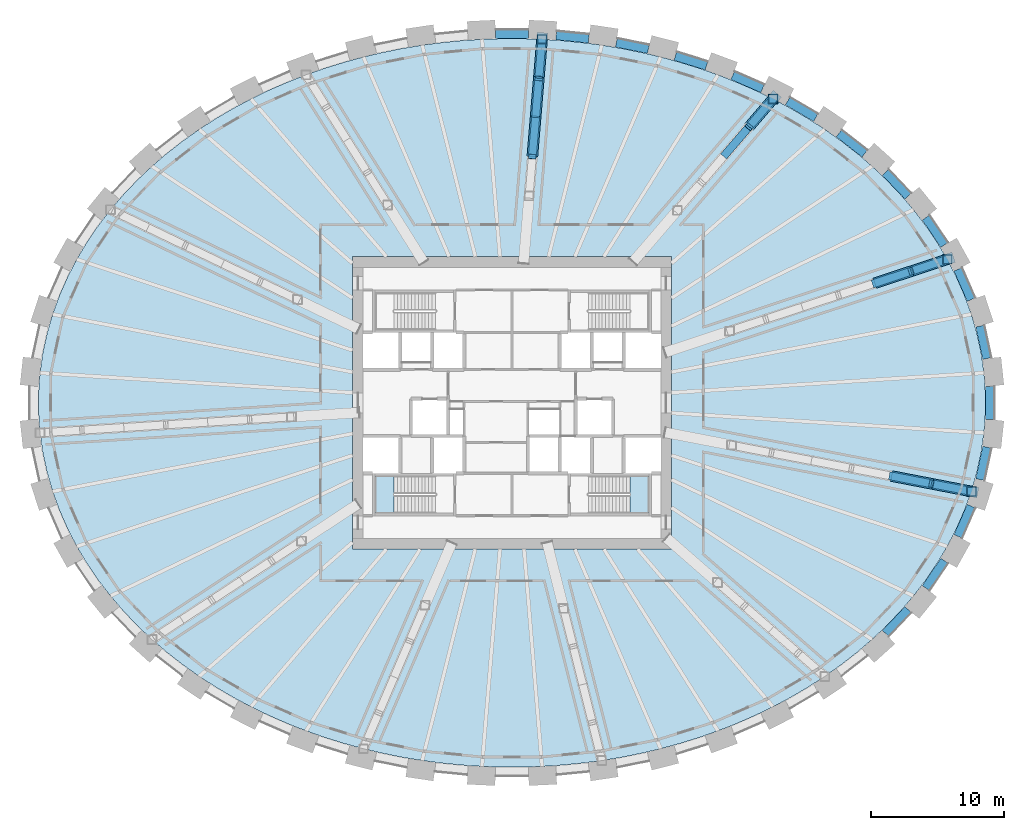
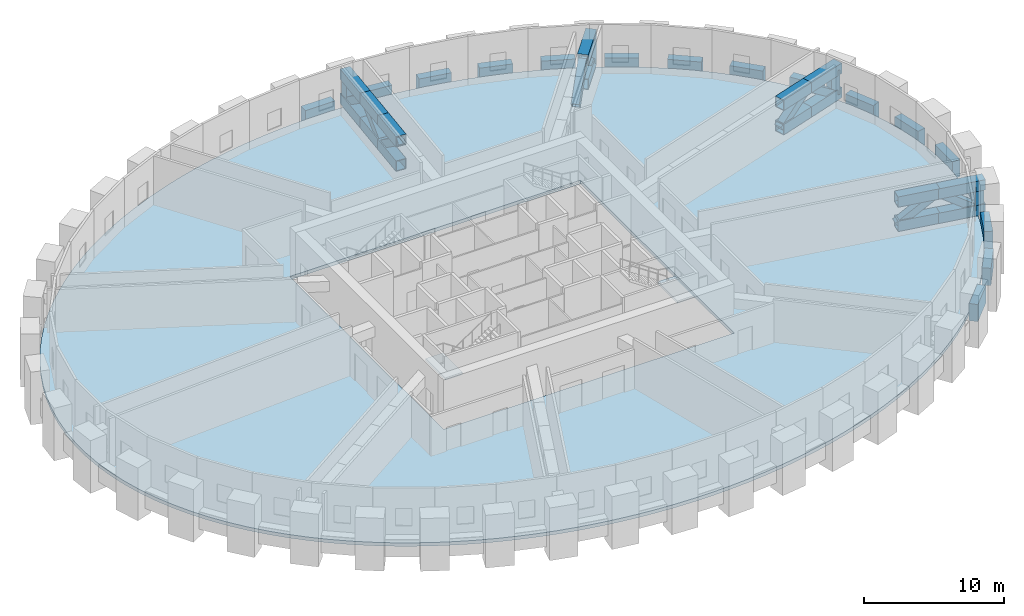
# One storey, part 5 of 13: 29 members, 16 beams, 3 slabs, 2 elements without a shape of their own.
"""IFC4 building model written with IfcOpenShell, lengths in metres."""

import ifcopenshell
import ifcopenshell.guid

model = None  # the IFC model being written
_history = None  # IfcOwnerHistory: only IFC2X3 demands one
_inside = {}  # id of a spatial element -> (the spatial element, [elements in it])
_under = {}  # id of a project, library or spatial element -> (it, [spatial elements below it])
_declared = {}  # id of a project -> (the project, [libraries it declares])
_typed = {}  # id of a type object -> (the type object, [elements of that type])
_made_of = {}  # id of a material, layer set ... -> (it, [elements and type objects made of it])


def new_model(schema):
    """Start an empty IFC model of exactly this schema.

    Asked for "IFC4X3", IfcOpenShell would pick the latest addendum, in which some entities
    have other attributes; the version numbers below select the first issue.
    IFC2X3 requires an IfcOwnerHistory on every rooted entity: one is made here for all.
    """
    global model, _history
    if schema == "IFC4X3":
        model = ifcopenshell.file(schema_version=(4, 3, 0, 0))
    else:
        model = ifcopenshell.file(schema=schema)
    _inside.clear()
    _under.clear()
    _declared.clear()
    _typed.clear()
    _made_of.clear()
    _history = None
    if model.schema == "IFC2X3":
        org = make("IfcOrganization", Name="unknown")
        user = make(
            "IfcPersonAndOrganization",
            ThePerson=make("IfcPerson", FamilyName="unknown"),
            TheOrganization=org,
        )
        app = make(
            "IfcApplication",
            ApplicationDeveloper=org,
            Version="unknown",
            ApplicationFullName="unknown",
            ApplicationIdentifier="unknown",
        )
        _history = make(
            "IfcOwnerHistory",
            OwningUser=user,
            OwningApplication=app,
            ChangeAction="ADDED",
            CreationDate=0,
        )
    return model


def make(cls, **values):
    """One entity of the class cls with the attributes given. An attribute that is None is left unset."""
    return model.create_entity(
        cls, **{name: value for name, value in values.items() if value is not None}
    )


def rooted(cls, **values):
    """An entity with a GlobalId (a new one), such as an element, a storey or a relation."""
    return make(cls, GlobalId=ifcopenshell.guid.new(), OwnerHistory=_history, **values)


def si_unit(unit_type, name, prefix=None):
    """IfcSIUnit, for example si_unit("LENGTHUNIT", "METRE", prefix="MILLI")."""
    return make("IfcSIUnit", UnitType=unit_type, Prefix=prefix, Name=name)


def assignment(units):
    """IfcUnitAssignment: the units of a project."""
    return None if units is None else make("IfcUnitAssignment", Units=units)


def point(xyz):
    """IfcCartesianPoint."""
    return None if xyz is None else make("IfcCartesianPoint", Coordinates=xyz)


def direction(xyz):
    """IfcDirection."""
    return None if xyz is None else make("IfcDirection", DirectionRatios=xyz)


def frame(location, z_axis=None, x_axis=None):
    """IfcAxis2Placement3D, a coordinate frame: its origin and axes. An axis left out is left unset."""
    return make(
        "IfcAxis2Placement3D",
        Location=point(location),
        Axis=direction(z_axis),
        RefDirection=direction(x_axis),
    )


def frame_2d(location, x_axis=None):
    """IfcAxis2Placement2D, a coordinate frame in the plane: its origin and x axis."""
    return make(
        "IfcAxis2Placement2D", Location=point(location), RefDirection=direction(x_axis)
    )


def origin():
    """The frame at (0, 0, 0) with its axes left unset."""
    return frame((0.0, 0.0, 0.0))


def origin_2d():
    """The frame at (0, 0) in the plane with its x axis left unset."""
    return frame_2d((0.0, 0.0))


def place(relative_to, where):
    """IfcLocalPlacement: puts the frame where relative to a parent placement (None: the world)."""
    return make(
        "IfcLocalPlacement", PlacementRelTo=relative_to, RelativePlacement=where
    )


def context(
    kind, dimensions, precision=None, world=None, true_north=None, identifier=None
):
    """IfcGeometricRepresentationContext, for example the 3D "Model" context."""
    return make(
        "IfcGeometricRepresentationContext",
        ContextIdentifier=identifier,
        ContextType=kind,
        CoordinateSpaceDimension=dimensions,
        Precision=precision,
        WorldCoordinateSystem=world,
        TrueNorth=true_north,
    )


def subcontext(parent, identifier, kind, view, scale=None):
    """IfcGeometricRepresentationSubContext, for example "Body" below "Model"."""
    return make(
        "IfcGeometricRepresentationSubContext",
        ContextIdentifier=identifier,
        ContextType=kind,
        ParentContext=parent,
        TargetScale=scale,
        TargetView=view,
    )


def project(units=None, contexts=None):
    """IfcProject with its units and contexts."""
    return rooted(
        "IfcProject",
        Name="project",
        RepresentationContexts=contexts,
        UnitsInContext=assignment(units),
    )


def spatial(cls, under=None, at=None, **own):
    """A site, building, storey or space (cls), placed at a placement, below another one or the project."""
    s = rooted(cls, ObjectPlacement=at, **own)
    if under is not None:
        _under.setdefault(under.id(), (under, []))[1].append(s)
    return s


def polyline(points):
    """IfcPolyline through the points."""
    return make("IfcPolyline", Points=[point(p) for p in points])


def profile(cls, at=None, kind="AREA", **sizes):
    """A parametric profile (cls). Its sizes go by their IFC names, for example OverallWidth=200.0."""
    return make(cls, ProfileType=kind, Position=at, **sizes)


def rectangle(**sizes):
    """IfcRectangleProfileDef."""
    return profile("IfcRectangleProfileDef", **sizes)


def hollow_rectangle(**sizes):
    """IfcRectangleHollowProfileDef."""
    return profile("IfcRectangleHollowProfileDef", **sizes)


def outline(outer, holes=None, kind="AREA"):
    """IfcArbitraryClosedProfileDef: a profile drawn as a closed curve; with holes, ...WithVoids."""
    if holes is None:
        return make("IfcArbitraryClosedProfileDef", ProfileType=kind, OuterCurve=outer)
    return make(
        "IfcArbitraryProfileDefWithVoids",
        ProfileType=kind,
        OuterCurve=outer,
        InnerCurves=holes,
    )


def extrude(swept, where, along, depth):
    """IfcExtrudedAreaSolid: the profile swept, set in the frame where, extruded along a direction by depth."""
    return make(
        "IfcExtrudedAreaSolid",
        SweptArea=swept,
        Position=where,
        ExtrudedDirection=direction(along),
        Depth=depth,
    )


def shape(context_of_items, identifier, shape_type, items):
    """IfcShapeRepresentation: the items that make up one representation, for example the "Body"."""
    return make(
        "IfcShapeRepresentation",
        ContextOfItems=context_of_items,
        RepresentationIdentifier=identifier,
        RepresentationType=shape_type,
        Items=items,
    )


def source(mapping_origin, context_of_items, identifier, shape_type, items):
    """IfcRepresentationMap: a shape defined once, which mapped items show again and again."""
    return make(
        "IfcRepresentationMap",
        MappingOrigin=mapping_origin,
        MappedRepresentation=shape(context_of_items, identifier, shape_type, items),
    )


def transform(
    local_origin,
    x_axis=None,
    y_axis=None,
    z_axis=None,
    scale=None,
    scale2=None,
    scale3=None,
    uniform=True,
):
    """IfcCartesianTransformationOperator3D, or its non-uniform kind. x_axis, y_axis, z_axis: its Axis1, 2, 3."""
    if uniform:
        return make(
            "IfcCartesianTransformationOperator3D",
            Axis1=direction(x_axis),
            Axis2=direction(y_axis),
            LocalOrigin=point(local_origin),
            Scale=scale,
            Axis3=direction(z_axis),
        )
    return make(
        "IfcCartesianTransformationOperator3DnonUniform",
        Axis1=direction(x_axis),
        Axis2=direction(y_axis),
        LocalOrigin=point(local_origin),
        Scale=scale,
        Axis3=direction(z_axis),
        Scale2=scale2,
        Scale3=scale3,
    )


def mapped(mapping_source, mapping_target):
    """IfcMappedItem: shows the shape of a source again, moved by a transform."""
    return make(
        "IfcMappedItem", MappingSource=mapping_source, MappingTarget=mapping_target
    )


def material(Name=None, Category=None):
    """IfcMaterial."""
    return make("IfcMaterial", Name=Name, Category=Category)


def layer(
    of_material, thickness, ventilated=None, Name=None, Category=None, Priority=None
):
    """IfcMaterialLayer: one layer of a wall or slab, of a material (None: an air gap)."""
    return make(
        "IfcMaterialLayer",
        Material=of_material,
        LayerThickness=thickness,
        IsVentilated=ventilated,
        Name=Name,
        Category=Category,
        Priority=Priority,
    )


def layer_set(layers, Name=None):
    """IfcMaterialLayerSet."""
    return make("IfcMaterialLayerSet", MaterialLayers=layers, LayerSetName=Name)


def material_profile(
    of_material, cross_section, Name=None, Category=None, Priority=None
):
    """IfcMaterialProfile: a cross section and its material."""
    return make(
        "IfcMaterialProfile",
        Name=Name,
        Material=of_material,
        Profile=cross_section,
        Priority=Priority,
        Category=Category,
    )


def profile_set(profiles, Name=None, composite=None):
    """IfcMaterialProfileSet."""
    return make(
        "IfcMaterialProfileSet",
        Name=Name,
        MaterialProfiles=profiles,
        CompositeProfile=composite,
    )


def made_of(thing, what):
    """Note that an element or type object is made of a material, layer set ...; save() writes the relation."""
    if what is not None:
        _made_of.setdefault(what.id(), (what, []))[1].append(thing)
    return thing


def type_object(cls, material=None, **own):
    """A type object (cls), such as IfcWallType, which elements share."""
    return made_of(rooted(cls, **own), material)


def element(
    cls,
    number,
    at=None,
    inside=None,
    cuts=None,
    type_object=None,
    material=None,
    context=None,
    identifier="Body",
    shape_type=None,
    held_by="IfcProductDefinitionShape",
    body=None,
    shapes=None,
    **own,
):
    """One element of the class cls, such as IfcWall. Its Tag is "e" and its number.

    at: its placement. inside: the storey or other place that contains it. cuts: it is an
    opening in that element (IfcRelVoidsElement). A single representation is given by context,
    identifier, shape_type and body (its items); several are given by shapes. held_by: the class
    of the entity that holds the representations. save() writes the other relations.
    """
    e = rooted(cls, Tag="e%d" % number, ObjectPlacement=at, **own)
    if body is not None:
        shapes = [shape(context, identifier, shape_type, body)]
    if shapes is not None:
        e.Representation = make(held_by, Representations=shapes)
    if inside is not None:
        _inside.setdefault(inside.id(), (inside, []))[1].append(e)
    if cuts is not None:
        rooted(
            "IfcRelVoidsElement", RelatingBuildingElement=cuts, RelatedOpeningElement=e
        )
    if type_object is not None:
        _typed.setdefault(type_object.id(), (type_object, []))[1].append(e)
    return made_of(e, material)


def aggregate(whole, parts):
    """IfcRelAggregates: a whole, such as a stair, and the parts it consists of."""
    return rooted("IfcRelAggregates", RelatingObject=whole, RelatedObjects=parts)


def save(model, path):
    """Write the relations noted so far, then the file.

    IfcRelAggregates (storeys below a building ...), IfcRelContainedInSpatialStructure (elements
    in a storey), IfcRelDefinesByType, IfcRelAssociatesMaterial and IfcRelDeclares: one each for
    every whole, place, type object, material and project.
    """
    for whole, parts in _under.values():
        aggregate(whole, parts)
    for where, things in _inside.values():
        rooted(
            "IfcRelContainedInSpatialStructure",
            RelatedElements=things,
            RelatingStructure=where,
        )
    for kind, things in _typed.values():
        rooted("IfcRelDefinesByType", RelatedObjects=things, RelatingType=kind)
    for what, things in _made_of.values():
        rooted("IfcRelAssociatesMaterial", RelatedObjects=things, RelatingMaterial=what)
    for by, libraries in _declared.values():
        rooted("IfcRelDeclares", RelatingContext=by, RelatedDefinitions=libraries)
    model.write(path)


model = new_model("IFC4")

# Units and contexts
model_context = context("Model", 3, precision=1e-05, world=origin(), true_north=direction((0.0, 1.0)))
body_context = subcontext(model_context, "Body", "Model", "MODEL_VIEW")
ifc_project = project(units=[si_unit("LENGTHUNIT", "METRE"), si_unit("AREAUNIT", "SQUARE_METRE"), si_unit("VOLUMEUNIT", "CUBIC_METRE"), si_unit("PLANEANGLEUNIT", "RADIAN"), si_unit("MASSUNIT", "GRAM", prefix="KILO")], contexts=[model_context])

# Site, building, storey
site_placement = place(None, origin())
site = spatial("IfcSite", under=ifc_project, at=site_placement, CompositionType="ELEMENT")
building_placement = place(site_placement, origin())
building = spatial("IfcBuilding", under=site, at=building_placement, Name="Embergate Tower", CompositionType="ELEMENT")
storey_placement = place(building_placement, frame((0.0, 0.0, 195.0)))
storey = spatial("IfcBuildingStorey", under=building, at=storey_placement, Name="L44", CompositionType="ELEMENT", Elevation=195.0)

# Beams
ifc_material_1 = material(Name="Concrete C60", Category="concrete")
ifc_material_profile_1 = material_profile(ifc_material_1, rectangle(XDim=0.64990234375, YDim=1.5, at=origin_2d()), Name="RC 650x1500")
ifc_profile_set_1 = profile_set([ifc_material_profile_1], Name="Concrete C60")
beam_type = type_object("IfcBeamType", Name="Spandrel beam RC 650x1500 C60", PredefinedType="BEAM", material=ifc_profile_set_1)
shared_shape_1 = source(origin(), body_context, "Body", "SweptSolid", [
    extrude(rectangle(XDim=0.64990234375, YDim=1.5, at=origin_2d()), origin(), (0.0, 0.0, 1.0), 2.495849609375),
])
for number, where, z_axis, x_axis, name in (
    (1, (35.7470703125, 3.3359375, 0.0), (-0.210410815017, 0.97761305685, 0.0), (-0.97761305685, -0.210410815017, 0.0), "SPN-L44-00"),
    (2, (35.221923828125, -5.77587890625, 0.0), (0.210410815017, 0.97761305685, 0.0), (-0.97761305685, 0.210410815017, 0.0), "SPN-L44-42"),
):
    element("IfcBeam", number, at=place(storey_placement, frame(where, z_axis=z_axis, x_axis=x_axis)), inside=storey, type_object=beam_type, Name=name, PredefinedType="BEAM", context=body_context, shape_type="MappedRepresentation", body=[
        mapped(shared_shape_1, transform((0.0, 0.0, 0.0))),
    ])
shared_shape_2 = source(origin(), body_context, "Body", "SweptSolid", [
    extrude(rectangle(XDim=0.64990234375, YDim=1.5, at=origin_2d()), origin(), (0.0, 0.0, 1.0), 2.4873046875),
])
for number, where, z_axis, x_axis, name in (
    (3, (34.556884765625, 7.76806640625, 0.0), (-0.401570504265, 0.915828111659, 0.0), (-0.915828111659, -0.401570504265, 0.0), "SPN-L44-01"),
    (4, (33.55810546875, -10.0458984375, 0.0), (0.401570504265, 0.915828111659, 0.0), (-0.915828111659, 0.401570504265, 0.0), "SPN-L44-41"),
):
    element("IfcBeam", number, at=place(storey_placement, frame(where, z_axis=z_axis, x_axis=x_axis)), inside=storey, type_object=beam_type, Name=name, PredefinedType="BEAM", context=body_context, shape_type="MappedRepresentation", body=[
        mapped(shared_shape_2, transform((0.0, 0.0, 0.0))),
    ])
shared_shape_3 = source(origin(), body_context, "Body", "SweptSolid", [
    extrude(rectangle(XDim=0.64990234375, YDim=1.5, at=origin_2d()), origin(), (0.0, 0.0, 1.0), 2.48193359375),
])
for number, where, z_axis, x_axis, name in (
    (5, (32.541015625, 11.884033203125, 0.0), (-0.562484902419, 0.826807555935, 0.0), (-0.826807555935, -0.562484902419, 0.0), "SPN-L44-02"),
    (6, (31.14501953125, -13.93603515625, 0.0), (0.562484902419, 0.826807555935, 0.0), (-0.826807555935, 0.562484902419, 0.0), "SPN-L44-40"),
):
    element("IfcBeam", number, at=place(storey_placement, frame(where, z_axis=z_axis, x_axis=x_axis)), inside=storey, type_object=beam_type, Name=name, PredefinedType="BEAM", context=body_context, shape_type="MappedRepresentation", body=[
        mapped(shared_shape_3, transform((0.0, 0.0, 0.0))),
    ])
shared_shape_4 = source(origin(), body_context, "Body", "SweptSolid", [
    extrude(rectangle(XDim=0.64990234375, YDim=1.5, at=origin_2d()), origin(), (0.0, 0.0, 1.0), 2.474853515625),
])
for number, where, z_axis, x_axis, name in (
    (7, (29.81005859375, 15.556884765625, 0.0), (-0.690137817058, 0.723677962541, 0.0), (-0.723677962541, -0.690137817058, 0.0), "SPN-L44-03"),
    (8, (28.10205078125, -17.347900390625, 0.0), (0.690137817058, 0.723677962541, 0.0), (-0.723677962541, 0.690137817058, 0.0), "SPN-L44-39"),
):
    element("IfcBeam", number, at=place(storey_placement, frame(where, z_axis=z_axis, x_axis=x_axis)), inside=storey, type_object=beam_type, Name=name, PredefinedType="BEAM", context=body_context, shape_type="MappedRepresentation", body=[
        mapped(shared_shape_4, transform((0.0, 0.0, 0.0))),
    ])
shared_shape_5 = source(origin(), body_context, "Body", "SweptSolid", [
    extrude(rectangle(XDim=0.64990234375, YDim=1.5, at=origin_2d()), origin(), (0.0, 0.0, 1.0), 2.469970703125),
])
beam_1_placement = place(storey_placement, frame((26.5458984375, 18.757080078125, 0.0), z_axis=(-0.788201173766, 0.615417670914, 0.0), x_axis=(-0.615417670914, -0.788201173766, 0.0)))
element("IfcBeam", 9, at=beam_1_placement, inside=storey, type_object=beam_type, Name="SPN-L44-04", PredefinedType="BEAM", context=body_context, shape_type="MappedRepresentation", body=[
    mapped(shared_shape_5, transform((0.0, 0.0, 0.0))),
])
shared_shape_6 = source(origin(), body_context, "Body", "SweptSolid", [
    extrude(rectangle(XDim=0.64990234375, YDim=1.5, at=origin_2d()), origin(), (0.0, 0.0, 1.0), 2.464111328125),
])
beam_2_placement = place(storey_placement, frame((22.862060546875, 21.4580078125, 0.0), z_axis=(-0.862005524643, 0.506898880928, 0.0), x_axis=(-0.506898880928, -0.862005524643, 0.0)))
element("IfcBeam", 10, at=beam_2_placement, inside=storey, type_object=beam_type, Name="SPN-L44-05", PredefinedType="BEAM", context=body_context, shape_type="MappedRepresentation", body=[
    mapped(shared_shape_6, transform((0.0, 0.0, 0.0))),
])
shared_shape_7 = source(origin(), body_context, "Body", "SweptSolid", [
    extrude(rectangle(XDim=0.64990234375, YDim=1.5, at=origin_2d()), origin(), (0.0, 0.0, 1.0), 2.4609375),
])
beam_3_placement = place(storey_placement, frame((18.85791015625, 23.64306640625, 0.0), z_axis=(-0.916257487085, 0.400589836818, 0.0), x_axis=(-0.400589836818, -0.916257487085, 0.0)))
element("IfcBeam", 11, at=beam_3_placement, inside=storey, type_object=beam_type, Name="SPN-L44-06", PredefinedType="BEAM", context=body_context, shape_type="MappedRepresentation", body=[
    mapped(shared_shape_7, transform((0.0, 0.0, 0.0))),
])
shared_shape_8 = source(origin(), body_context, "Body", "SweptSolid", [
    extrude(rectangle(XDim=0.64990234375, YDim=1.5, at=origin_2d()), origin(), (0.0, 0.0, 1.0), 2.4580078125),
])
beam_4_placement = place(storey_placement, frame((14.635986328125, 25.363037109375, 0.0), z_axis=(-0.954764072866, 0.297364364315, 0.0), x_axis=(-0.297364364315, -0.954764072866, 0.0)))
element("IfcBeam", 12, at=beam_4_placement, inside=storey, type_object=beam_type, Name="SPN-L44-07", PredefinedType="BEAM", context=body_context, shape_type="MappedRepresentation", body=[
    mapped(shared_shape_8, transform((0.0, 0.0, 0.0))),
])
shared_shape_9 = source(origin(), body_context, "Body", "SweptSolid", [
    extrude(rectangle(XDim=0.64990234375, YDim=1.5, at=origin_2d()), origin(), (0.0, 0.0, 1.0), 2.456787109375),
])
beam_5_placement = place(storey_placement, frame((10.2548828125, 26.613037109375, 0.0), z_axis=(-0.98049267216, 0.196555640573, 0.0), x_axis=(-0.196555640573, -0.98049267216, 0.0)))
element("IfcBeam", 13, at=beam_5_placement, inside=storey, type_object=beam_type, Name="SPN-L44-08", PredefinedType="BEAM", context=body_context, shape_type="MappedRepresentation", body=[
    mapped(shared_shape_9, transform((0.0, 0.0, 0.0))),
])
shared_shape_10 = source(origin(), body_context, "Body", "SweptSolid", [
    extrude(rectangle(XDim=0.64990234375, YDim=1.5, at=origin_2d()), origin(), (0.0, 0.0, 1.0), 2.455810546875),
])
beam_6_placement = place(storey_placement, frame((5.76904296875, 27.406005859375, 0.0), z_axis=(-0.995213749565, 0.097722017363, 0.0), x_axis=(-0.097722017363, -0.995213749565, 0.0)))
element("IfcBeam", 14, at=beam_6_placement, inside=storey, type_object=beam_type, Name="SPN-L44-09", PredefinedType="BEAM", context=body_context, shape_type="MappedRepresentation", body=[
    mapped(shared_shape_10, transform((0.0, 0.0, 0.0))),
])
shared_shape_11 = source(origin(), body_context, "Body", "SweptSolid", [
    extrude(rectangle(XDim=0.64990234375, YDim=1.5, at=origin_2d()), origin(), (0.0, 0.0, 1.0), 2.4541015625),
])
beam_7_placement = place(storey_placement, frame((1.22705078125, 27.7490234375, 0.0), z_axis=(-1.0, 0.0, 0.0), x_axis=(0.0, -1.0, 0.0)))
element("IfcBeam", 15, at=beam_7_placement, inside=storey, type_object=beam_type, Name="SPN-L44-10", PredefinedType="BEAM", context=body_context, shape_type="MappedRepresentation", body=[
    mapped(shared_shape_11, transform((0.0, 0.0, 0.0))),
])
shared_shape_12 = source(origin(), body_context, "Body", "SweptSolid", [
    extrude(rectangle(XDim=0.64990234375, YDim=1.5, at=origin_2d()), origin(), (0.0, 0.0, 1.0), 2.49609375),
])
beam_8_placement = place(storey_placement, frame((35.968994140625, -1.248046875, 0.0), z_axis=(0.0, 1.0, 0.0), x_axis=(-1.0, 0.0, 0.0)))
element("IfcBeam", 16, at=beam_8_placement, inside=storey, type_object=beam_type, Name="SPN-L44-43", PredefinedType="BEAM", context=body_context, shape_type="MappedRepresentation", body=[
    mapped(shared_shape_12, transform((0.0, 0.0, 0.0))),
])

# Members
ifc_material_2 = material(Name="Steel Q355B", Category="steel")
ifc_material_profile_2 = material_profile(ifc_material_2, hollow_rectangle(XDim=0.800048828125, YDim=0.89990234375, WallThickness=0.0400390625, at=origin_2d()), Name="BOX 900x800x40")
ifc_profile_set_2 = profile_set([ifc_material_profile_2], Name="Steel Q355 grade B")
member_type_1 = type_object("IfcMemberType", Name="Outrigger chord BOX 900x800x40", PredefinedType="CHORD", material=ifc_profile_set_2)
shared_shape_13 = source(origin(), body_context, "Body", "SweptSolid", [
    extrude(hollow_rectangle(XDim=0.800048828125, YDim=0.89990234375, WallThickness=0.0400390625, at=origin_2d()), origin(), (0.0, 0.0, 1.0), 2.9765625),
])
for number, where, z_axis, x_axis, name in (
    (17, (27.297119140625, 9.001953125, 2.570068359375), (0.949703555614, 0.31315037355, 0.0), (-0.31315037355, 0.949703555614, 0.0), "OUT-L44-02-TC05"),
    (18, (27.297119140625, 9.001953125, 0.449951171875), (0.949703555614, 0.31315037355, 0.0), (-0.31315037355, 0.949703555614, 0.0), "OUT-L44-02-BC04"),
):
    element("IfcMember", number, at=place(storey_placement, frame(where, z_axis=z_axis, x_axis=x_axis)), inside=storey, type_object=member_type_1, Name=name, PredefinedType="CHORD", context=body_context, shape_type="MappedRepresentation", body=[
        mapped(shared_shape_13, transform((0.0, 0.0, 0.0))),
    ])
shared_shape_14 = source(origin(), body_context, "Body", "SweptSolid", [
    extrude(hollow_rectangle(XDim=0.800048828125, YDim=0.89990234375, WallThickness=0.0400390625, at=origin_2d()), origin(), (0.0, 0.0, 1.0), 3.376953125),
])
for number, where, z_axis, x_axis, name in (
    (19, (30.029052734375, 9.903076171875, 2.570068359375), (0.949669088403, 0.313254884291, 0.0), (-0.313254884291, 0.949669088403, 0.0), "OUT-L44-02-TC06"),
    (20, (30.029052734375, 9.903076171875, 0.449951171875), (0.949669088403, 0.313254884291, 0.0), (-0.313254884291, 0.949669088403, 0.0), "OUT-L44-02-BC05"),
):
    element("IfcMember", number, at=place(storey_placement, frame(where, z_axis=z_axis, x_axis=x_axis)), inside=storey, type_object=member_type_1, Name=name, PredefinedType="CHORD", context=body_context, shape_type="MappedRepresentation", body=[
        mapped(shared_shape_14, transform((0.0, 0.0, 0.0))),
    ])
ifc_material_profile_3 = material_profile(ifc_material_2, hollow_rectangle(XDim=0.699951171875, YDim=0.699951171875, WallThickness=0.031982421875, at=origin_2d()), Name="BOX 700x700x32")
ifc_profile_set_3 = profile_set([ifc_material_profile_3], Name="Steel Q355 grade B")
member_type_2 = type_object("IfcMemberType", Name="Outrigger post BOX 700x700x32", PredefinedType="POST", material=ifc_profile_set_3)
shared_shape_15 = source(origin(), body_context, "Body", "SweptSolid", [
    extrude(hollow_rectangle(XDim=0.699951171875, YDim=0.699951171875, WallThickness=0.031982421875, at=origin_2d()), origin(), (0.0, 0.0, 1.0), 2.1201171875),
])
for number, where, z_axis, x_axis, name in (
    (21, (32.760986328125, 10.803955078125, 0.449951171875), (0.0, 0.0, 1.0), (1.0, 0.0, 0.0), "OUT-L44-02-PO06"),
    (22, (19.64697265625, 22.8779296875, 0.449951171875), (0.0, 0.0, 1.0), (1.0, 0.0, 0.0), "OUT-L44-06-PO04"),
    (23, (2.260009765625, 27.364013671875, 0.449951171875), (0.0, 0.0, 1.0), (1.0, 0.0, 0.0), "OUT-L44-10-PO04"),
    (24, (34.573974609375, -6.6689453125, 0.449951171875), (0.0, 0.0, 1.0), (1.0, 0.0, 0.0), "OUT-L44-42-PO06"),
):
    element("IfcMember", number, at=place(storey_placement, frame(where, z_axis=z_axis, x_axis=x_axis)), inside=storey, type_object=member_type_2, Name=name, PredefinedType="POST", context=body_context, shape_type="MappedRepresentation", body=[
        mapped(shared_shape_15, transform((0.0, 0.0, 0.0))),
    ])
ifc_material_profile_4 = material_profile(ifc_material_2, hollow_rectangle(XDim=0.60009765625, YDim=0.60009765625, WallThickness=0.028076171875, at=origin_2d()), Name="BOX 600x600x28")
ifc_profile_set_4 = profile_set([ifc_material_profile_4], Name="Steel Q355 grade B")
member_type_3 = type_object("IfcMemberType", Name="Outrigger diagonal BOX 600x600x28", PredefinedType="BRACE", material=ifc_profile_set_4)
shared_shape_16 = source(origin(), body_context, "Body", "SweptSolid", [
    extrude(hollow_rectangle(XDim=0.60009765625, YDim=0.60009765625, WallThickness=0.028076171875, at=origin_2d()), origin(), (0.0, 0.0, 1.0), 3.573486328125),
])
for number, where, z_axis, x_axis, name in (
    (25, (27.297119140625, 9.001953125, 0.449951171875), (0.764483673245, 0.252163470773, 0.593277588781), (-0.313247344494, 0.949671575424, 0.0), "OUT-L44-02-DG04"),
    (26, (30.029052734375, 9.903076171875, 2.570068359375), (0.764496841884, 0.252099494777, -0.593287808304), (-0.313170801129, 0.949696819685, 0.0), "OUT-L44-02-DG05"),
):
    element("IfcMember", number, at=place(storey_placement, frame(where, z_axis=z_axis, x_axis=x_axis)), inside=storey, type_object=member_type_3, Name=name, PredefinedType="BRACE", context=body_context, shape_type="MappedRepresentation", body=[
        mapped(shared_shape_16, transform((0.0, 0.0, 0.0))),
    ])
shared_shape_17 = source(origin(), body_context, "Body", "SweptSolid", [
    extrude(hollow_rectangle(XDim=0.800048828125, YDim=0.89990234375, WallThickness=0.0400390625, at=origin_2d()), origin(), (0.0, 0.0, 1.0), 3.26416015625),
])
for number, where, z_axis, x_axis, name in (
    (27, (17.845947265625, 20.781005859375, 2.570068359375), (0.651604053501, 0.758559264303, 0.0), (-0.758559264303, 0.651604053501, 0.0), "OUT-L44-06-TC04"),
    (28, (17.845947265625, 20.781005859375, 0.449951171875), (0.651604053501, 0.758559264303, 0.0), (-0.758559264303, 0.651604053501, 0.0), "OUT-L44-06-BC03"),
):
    element("IfcMember", number, at=place(storey_placement, frame(where, z_axis=z_axis, x_axis=x_axis)), inside=storey, type_object=member_type_1, Name=name, PredefinedType="CHORD", context=body_context, shape_type="MappedRepresentation", body=[
        mapped(shared_shape_17, transform((0.0, 0.0, 0.0))),
    ])
shared_shape_18 = source(origin(), body_context, "Body", "SweptSolid", [
    extrude(hollow_rectangle(XDim=0.60009765625, YDim=0.60009765625, WallThickness=0.028076171875, at=origin_2d()), origin(), (0.0, 0.0, 1.0), 3.483642578125),
])
for number, where, z_axis, x_axis, name in (
    (29, (16.044921875, 18.68408203125, 0.449951171875), (0.516996731302, 0.601936413874, 0.608594227277), (-0.758601592973, 0.651554773706, 0.0), "OUT-L44-06-DG02"),
    (30, (17.845947265625, 20.781005859375, 2.570068359375), (0.516996731302, 0.601936413874, -0.608594227277), (-0.758601592973, 0.651554773706, 0.0), "OUT-L44-06-DG03"),
):
    element("IfcMember", number, at=place(storey_placement, frame(where, z_axis=z_axis, x_axis=x_axis)), inside=storey, type_object=member_type_3, Name=name, PredefinedType="BRACE", context=body_context, shape_type="MappedRepresentation", body=[
        mapped(shared_shape_18, transform((0.0, 0.0, 0.0))),
    ])
shared_shape_19 = source(origin(), body_context, "Body", "SweptSolid", [
    extrude(hollow_rectangle(XDim=0.800048828125, YDim=0.89990234375, WallThickness=0.0400390625, at=origin_2d()), origin(), (0.0, 0.0, 1.0), 3.05517578125),
])
for number, where, z_axis, x_axis, name in (
    (31, (1.531005859375, 18.529052734375, 2.570068359375), (0.082146060744, 0.99662030117, 0.0), (-0.99662030117, 0.082146060744, 0.0), "OUT-L44-10-TC02"),
    (32, (1.77392578125, 21.47412109375, 2.570068359375), (0.082146060744, 0.99662030117, 0.0), (-0.99662030117, 0.082146060744, 0.0), "OUT-L44-10-TC03"),
    (33, (1.531005859375, 18.529052734375, 0.449951171875), (0.082146060744, 0.99662030117, 0.0), (-0.99662030117, 0.082146060744, 0.0), "OUT-L44-10-BC01"),
    (34, (1.77392578125, 21.47412109375, 0.449951171875), (0.082146060744, 0.99662030117, 0.0), (-0.99662030117, 0.082146060744, 0.0), "OUT-L44-10-BC02"),
):
    element("IfcMember", number, at=place(storey_placement, frame(where, z_axis=z_axis, x_axis=x_axis)), inside=storey, type_object=member_type_1, Name=name, PredefinedType="CHORD", context=body_context, shape_type="MappedRepresentation", body=[
        mapped(shared_shape_19, transform((0.0, 0.0, 0.0))),
    ])
shared_shape_20 = source(origin(), body_context, "Body", "SweptSolid", [
    extrude(hollow_rectangle(XDim=0.800048828125, YDim=0.89990234375, WallThickness=0.0400390625, at=origin_2d()), origin(), (0.0, 0.0, 1.0), 3.454833984375),
])
for number, where, z_axis, x_axis, name in (
    (35, (2.01708984375, 24.4189453125, 2.570068359375), (0.082185748062, 0.996617029162, 0.0), (-0.996617029162, 0.082185748062, 0.0), "OUT-L44-10-TC04"),
    (36, (2.01708984375, 24.4189453125, 0.449951171875), (0.082185748062, 0.996617029162, 0.0), (-0.996617029162, 0.082185748062, 0.0), "OUT-L44-10-BC03"),
):
    element("IfcMember", number, at=place(storey_placement, frame(where, z_axis=z_axis, x_axis=x_axis)), inside=storey, type_object=member_type_1, Name=name, PredefinedType="CHORD", context=body_context, shape_type="MappedRepresentation", body=[
        mapped(shared_shape_20, transform((0.0, 0.0, 0.0))),
    ])
shared_shape_21 = source(origin(), body_context, "Body", "SweptSolid", [
    extrude(hollow_rectangle(XDim=0.60009765625, YDim=0.60009765625, WallThickness=0.028076171875, at=origin_2d()), origin(), (0.0, 0.0, 1.0), 3.636962890625),
])
for number, where, z_axis, x_axis, name in (
    (37, (1.531005859375, 18.529052734375, 2.570068359375), (0.066792386733, 0.809765388102, -0.582939785317), (-0.996615485859, 0.082204460618, 0.0), "OUT-L44-10-DG01"),
    (38, (2.01708984375, 24.4189453125, 2.570068359375), (0.066792386733, 0.809765388102, -0.582939785317), (-0.996615485859, 0.082204460618, 0.0), "OUT-L44-10-DG03"),
):
    element("IfcMember", number, at=place(storey_placement, frame(where, z_axis=z_axis, x_axis=x_axis)), inside=storey, type_object=member_type_3, Name=name, PredefinedType="BRACE", context=body_context, shape_type="MappedRepresentation", body=[
        mapped(shared_shape_21, transform((0.0, 0.0, 0.0))),
    ])
shared_shape_22 = source(origin(), body_context, "Body", "SweptSolid", [
    extrude(hollow_rectangle(XDim=0.60009765625, YDim=0.60009765625, WallThickness=0.028076171875, at=origin_2d()), origin(), (0.0, 0.0, 1.0), 3.63671875),
])
member_1_placement = place(storey_placement, frame((1.77392578125, 21.47412109375, 0.449951171875), z_axis=(0.06686284928, 0.809738642591, 0.582968858586), x_axis=(-0.996608154507, 0.082293294801, 0.0)))
element("IfcMember", 39, at=member_1_placement, inside=storey, type_object=member_type_3, Name="OUT-L44-10-DG02", PredefinedType="BRACE", context=body_context, shape_type="MappedRepresentation", body=[
    mapped(shared_shape_22, transform((0.0, 0.0, 0.0))),
])
shared_shape_23 = source(origin(), body_context, "Body", "SweptSolid", [
    extrude(hollow_rectangle(XDim=0.800048828125, YDim=0.89990234375, WallThickness=0.0400390625, at=origin_2d()), origin(), (0.0, 0.0, 1.0), 3.165283203125),
])
for number, where, z_axis, x_axis, name in (
    (40, (28.554931640625, -5.508056640625, 2.570068359375), (0.981938716622, -0.189199251581, 0.0), (0.189199251581, 0.981938716622, 0.0), "OUT-L44-42-TC05"),
    (41, (28.554931640625, -5.508056640625, 0.449951171875), (0.981938716622, -0.189199251581, 0.0), (0.189199251581, 0.981938716622, 0.0), "OUT-L44-42-BC04"),
):
    element("IfcMember", number, at=place(storey_placement, frame(where, z_axis=z_axis, x_axis=x_axis)), inside=storey, type_object=member_type_1, Name=name, PredefinedType="CHORD", context=body_context, shape_type="MappedRepresentation", body=[
        mapped(shared_shape_23, transform((0.0, 0.0, 0.0))),
    ])
shared_shape_24 = source(origin(), body_context, "Body", "SweptSolid", [
    extrude(hollow_rectangle(XDim=0.800048828125, YDim=0.89990234375, WallThickness=0.0400390625, at=origin_2d()), origin(), (0.0, 0.0, 1.0), 3.5654296875),
])
for number, where, z_axis, x_axis, name in (
    (42, (31.56396484375, -6.089111328125, 2.570068359375), (0.981926259933, -0.18926388999, 0.0), (0.18926388999, 0.981926259933, 0.0), "OUT-L44-42-TC06"),
    (43, (31.56396484375, -6.089111328125, 0.449951171875), (0.981926259933, -0.18926388999, 0.0), (0.18926388999, 0.981926259933, 0.0), "OUT-L44-42-BC05"),
):
    element("IfcMember", number, at=place(storey_placement, frame(where, z_axis=z_axis, x_axis=x_axis)), inside=storey, type_object=member_type_1, Name=name, PredefinedType="CHORD", context=body_context, shape_type="MappedRepresentation", body=[
        mapped(shared_shape_24, transform((0.0, 0.0, 0.0))),
    ])
shared_shape_25 = source(origin(), body_context, "Body", "SweptSolid", [
    extrude(hollow_rectangle(XDim=0.60009765625, YDim=0.60009765625, WallThickness=0.028076171875, at=origin_2d()), origin(), (0.0, 0.0, 1.0), 3.72705078125),
])
member_2_placement = place(storey_placement, frame((31.56396484375, -6.089111328125, 2.570068359375), z_axis=(0.807601349041, -0.155572487953, -0.568838520161), x_axis=(0.189157557746, 0.981946749242, 0.0)))
element("IfcMember", 44, at=member_2_placement, inside=storey, type_object=member_type_3, Name="OUT-L44-42-DG05", PredefinedType="BRACE", context=body_context, shape_type="MappedRepresentation", body=[
    mapped(shared_shape_25, transform((0.0, 0.0, 0.0))),
])
shared_shape_26 = source(origin(), body_context, "Body", "SweptSolid", [
    extrude(hollow_rectangle(XDim=0.60009765625, YDim=0.60009765625, WallThickness=0.028076171875, at=origin_2d()), origin(), (0.0, 0.0, 1.0), 3.7265625),
])
member_3_placement = place(storey_placement, frame((28.554931640625, -5.508056640625, 0.449951171875), z_axis=(0.807468993013, -0.155925046927, 0.568929877106), x_axis=(0.189600795474, 0.981861262275, 0.0)))
element("IfcMember", 45, at=member_3_placement, inside=storey, type_object=member_type_3, Name="OUT-L44-42-DG04", PredefinedType="BRACE", context=body_context, shape_type="MappedRepresentation", body=[
    mapped(shared_shape_26, transform((0.0, 0.0, 0.0))),
])

# Slab
ifc_material_3 = material(Name="Concrete C50", Category="concrete")
ifc_layer_1 = layer(ifc_material_3, 0.300048828125)
ifc_layer_set_1 = layer_set([ifc_layer_1], Name="Concrete C50")
slab_type_1 = type_object("IfcSlabType", Name="Plant floor slab C50 300", PredefinedType="FLOOR", material=ifc_layer_set_1)
shared_shape_27 = source(origin(), body_context, "Body", "SweptSolid", [
    extrude(outline(polyline([(0.0, 0.0), (1.5078125, 0.0), (3.013916015625, 0.049072265625), (4.52099609375, 0.148193359375), (6.02197265625, 0.295166015625), (7.512939453125, 0.490966796875), (9.005859375, 0.739013671875), (10.48388671875, 1.03515625), (11.94384765625, 1.380126953125), (13.407958984375, 1.780029296875), (14.846923828125, 2.22802734375), (16.260009765625, 2.72412109375), (17.673828125, 3.280029296875), (19.055908203125, 3.884033203125), (20.40087890625, 4.53515625), (21.743896484375, 5.252197265625), (23.0439453125, 6.01611328125), (24.2958984375, 6.8251953125), (25.539794921875, 7.7080078125), (26.72802734375, 8.635009765625), (27.85791015625, 9.60498046875), (28.966796875, 10.655029296875), (30.0068359375, 11.74609375), (30.975830078125, 12.8740234375), (31.90478515625, 14.085205078125), (32.751953125, 15.3310546875), (33.514892578125, 16.609130859375), (34.2138671875, 17.962158203125), (34.81884765625, 19.341064453125), (35.327880859375, 20.744140625), (35.7490234375, 22.201171875), (36.06591796875, 23.673095703125), (36.27783203125, 25.156005859375), (36.385986328125, 26.66015625), (36.385986328125, 28.166015625), (36.27783203125, 29.670166015625), (36.06591796875, 31.153076171875), (35.7490234375, 32.625), (35.327880859375, 34.08203125), (34.81884765625, 35.485107421875), (34.2138671875, 36.864013671875), (33.514892578125, 38.217041015625), (32.751953125, 39.4951171875), (31.90478515625, 40.740966796875), (30.975830078125, 41.9521484375), (30.0068359375, 43.080078125), (28.966796875, 44.171142578125), (27.85791015625, 45.22119140625), (26.72802734375, 46.191162109375), (25.539794921875, 47.1181640625), (24.2958984375, 48.0009765625), (23.0439453125, 48.81005859375), (21.743896484375, 49.573974609375), (20.40087890625, 50.291015625), (19.055908203125, 50.942138671875), (17.673828125, 51.546142578125), (16.260009765625, 52.10205078125), (14.846923828125, 52.59814453125), (13.407958984375, 53.046142578125), (11.94384765625, 53.446044921875), (10.48388671875, 53.791015625), (9.005859375, 54.087158203125), (7.512939453125, 54.335205078125), (6.02197265625, 54.531005859375), (4.52099609375, 54.677978515625), (3.013916015625, 54.777099609375), (1.5078125, 54.826171875), (0.0, 54.826171875), (-1.506103515625, 54.777099609375), (-3.01318359375, 54.677978515625), (-4.51416015625, 54.531005859375), (-6.005126953125, 54.335205078125), (-7.498046875, 54.087158203125), (-8.97607421875, 53.791015625), (-10.43603515625, 53.446044921875), (-11.900146484375, 53.046142578125), (-13.339111328125, 52.59814453125), (-14.752197265625, 52.10205078125), (-16.166015625, 51.546142578125), (-17.548095703125, 50.942138671875), (-18.89306640625, 50.291015625), (-20.236083984375, 49.573974609375), (-21.5361328125, 48.81005859375), (-22.7880859375, 48.0009765625), (-24.031982421875, 47.1181640625), (-25.22021484375, 46.191162109375), (-26.35009765625, 45.22119140625), (-27.458984375, 44.171142578125), (-28.4990234375, 43.080078125), (-29.468017578125, 41.9521484375), (-30.39697265625, 40.740966796875), (-31.244140625, 39.4951171875), (-32.007080078125, 38.217041015625), (-32.7060546875, 36.864013671875), (-33.31103515625, 35.485107421875), (-33.820068359375, 34.08203125), (-34.2412109375, 32.625), (-34.55810546875, 31.153076171875), (-34.77001953125, 29.670166015625), (-34.878173828125, 28.166015625), (-34.878173828125, 26.66015625), (-34.77001953125, 25.156005859375), (-34.55810546875, 23.673095703125), (-34.2412109375, 22.201171875), (-33.820068359375, 20.744140625), (-33.31103515625, 19.341064453125), (-32.7060546875, 17.962158203125), (-32.007080078125, 16.609130859375), (-31.244140625, 15.3310546875), (-30.39697265625, 14.085205078125), (-29.468017578125, 12.8740234375), (-28.4990234375, 11.74609375), (-27.458984375, 10.655029296875), (-26.35009765625, 9.60498046875), (-25.22021484375, 8.635009765625), (-24.031982421875, 7.7080078125), (-22.7880859375, 6.8251953125), (-21.5361328125, 6.01611328125), (-20.236083984375, 5.252197265625), (-18.89306640625, 4.53515625), (-17.548095703125, 3.884033203125), (-16.166015625, 3.280029296875), (-14.752197265625, 2.72412109375), (-13.339111328125, 2.22802734375), (-11.900146484375, 1.780029296875), (-10.43603515625, 1.380126953125), (-8.97607421875, 1.03515625), (-7.498046875, 0.739013671875), (-6.005126953125, 0.490966796875), (-4.51416015625, 0.295166015625), (-3.01318359375, 0.148193359375), (-1.506103515625, 0.049072265625), (0.0, 0.0)]), holes=[polyline([(-11.24609375, 16.4130859375), (-11.24609375, 38.4130859375), (12.75390625, 38.4130859375), (12.75390625, 16.4130859375), (-11.24609375, 16.4130859375)])]), origin(), (0.0, 0.0, 1.0), 0.300048828125),
])
slab_1_placement = place(storey_placement, frame((-0.75390625, -27.4130859375, -0.300048828125)))
element("IfcSlab", 46, at=slab_1_placement, inside=storey, type_object=slab_type_1, Name="SLB-L44-00", PredefinedType="FLOOR", context=body_context, shape_type="MappedRepresentation", body=[
    mapped(shared_shape_27, transform((0.0, 0.0, 0.0))),
])

# Stair, slab
ifc_material_4 = material(Name="Exit stair")
stair_type = type_object("IfcStairType", Name="Exit stair", PredefinedType="HALF_TURN_STAIR", material=ifc_material_4)
stair_1_placement = place(storey_placement, origin())
stair_1 = element("IfcStair", 47, at=stair_1_placement, inside=storey, type_object=stair_type, Name="L44 Exit stair 3", PredefinedType="HALF_TURN_STAIR")
ifc_material_5 = material(Name="Concrete C40", Category="concrete")
ifc_layer_2 = layer(ifc_material_5, 0.199951171875)
ifc_layer_set_2 = layer_set([ifc_layer_2], Name="Concrete C40")
slab_type_2 = type_object("IfcSlabType", Name="Stair landing reinforced concrete", PredefinedType="LANDING", material=ifc_layer_set_2)
shared_shape_28 = source(origin(), body_context, "Body", "SweptSolid", [
    extrude(outline(polyline([(0.0, 0.0), (1.429931640625, 0.0), (1.429931640625, 2.800048828125), (0.0, 2.800048828125), (0.0, 0.0)])), origin(), (0.0, 0.0, 1.0), 0.199951171875),
])
slab_2_placement = place(storey_placement, frame((-10.300048828125, -8.300048828125, 2.050048828125)))
slab_2 = element("IfcSlab", 48, at=slab_2_placement, type_object=slab_type_2, Name="ST3 landing 1", PredefinedType="LANDING", context=body_context, shape_type="MappedRepresentation", body=[
    mapped(shared_shape_28, transform((0.0, 0.0, 0.0))),
])
aggregate(stair_1, [slab_2])

stair_2_placement = place(storey_placement, origin())
stair_2 = element("IfcStair", 49, at=stair_2_placement, inside=storey, type_object=stair_type, Name="L44 Exit stair 4", PredefinedType="HALF_TURN_STAIR")
slab_3_placement = place(storey_placement, frame((8.8701171875, -8.300048828125, 2.050048828125)))
slab_3 = element("IfcSlab", 50, at=slab_3_placement, type_object=slab_type_2, Name="ST4 landing 1", PredefinedType="LANDING", context=body_context, shape_type="MappedRepresentation", body=[
    mapped(shared_shape_28, transform((0.0, 0.0, 0.0))),
])
aggregate(stair_2, [slab_3])

save(model, "model.ifc")
